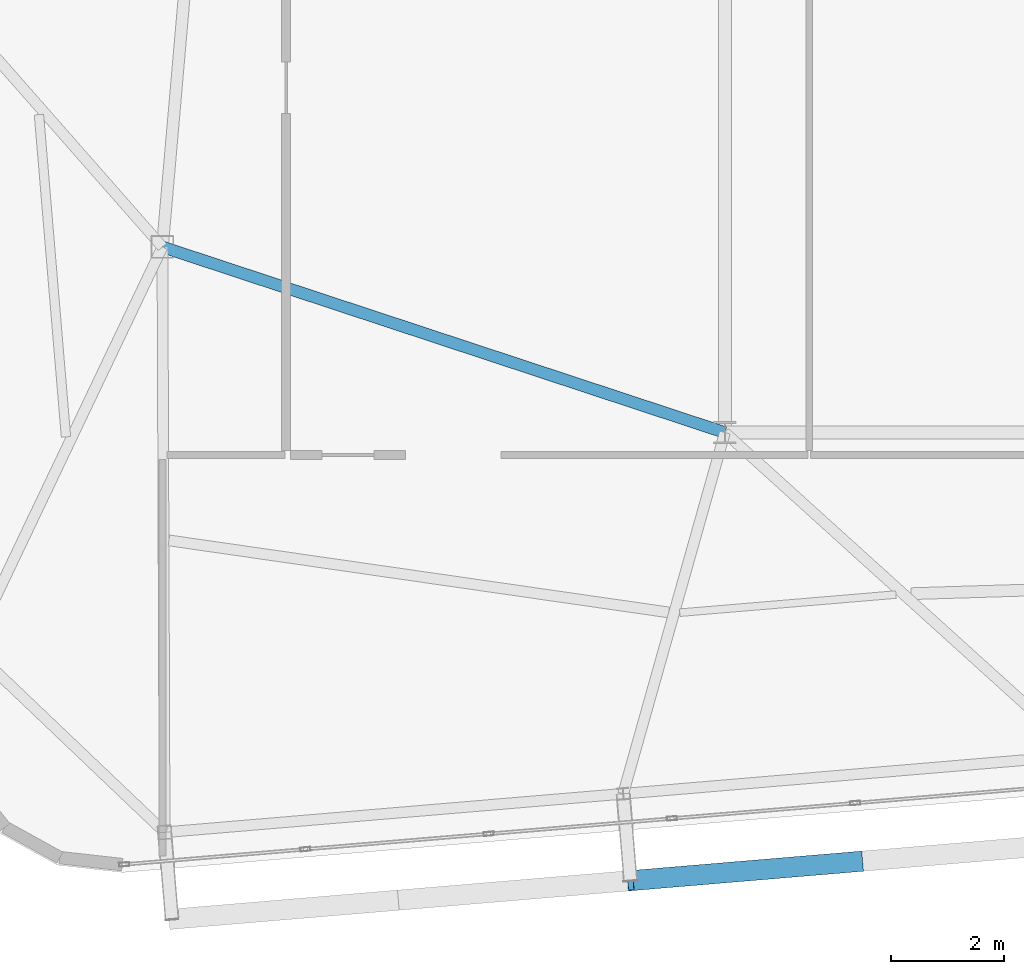
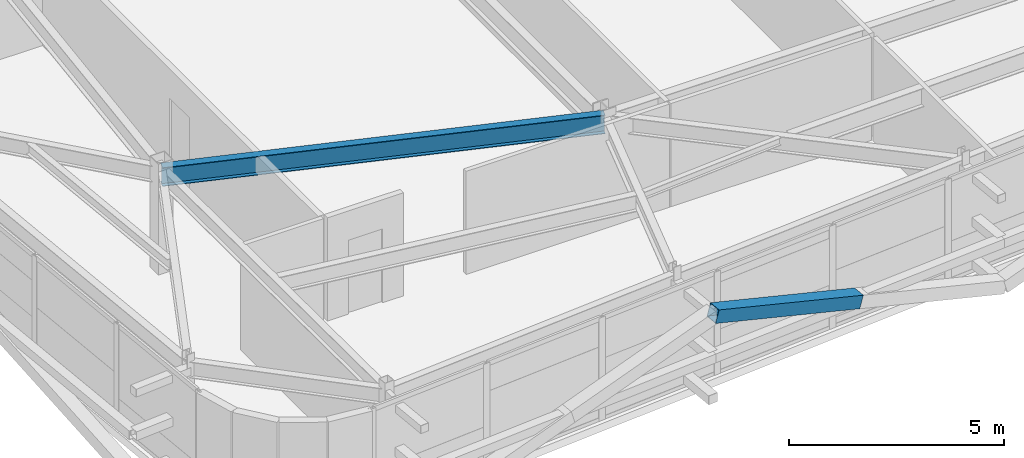
# One storey, part 10 of 46: 1 beam, 1 member.
"""IFC4 building model written with IfcOpenShell, lengths in metres."""

from ifc_helpers import new_model, si_unit, direction, frame, origin, origin_2d, place, context, subcontext, project, spatial, hollow_rectangle, i_section, extrude, source, transform, mapped, material, material_profile, profile_set, type_object, element, save


model = new_model("IFC4")

# Units and contexts
model_context = context("Model", 3, precision=1e-05, world=origin(), true_north=direction((0.0, 1.0)))
body_context = subcontext(model_context, "Body", "Model", "MODEL_VIEW")
ifc_project = project(units=[si_unit("LENGTHUNIT", "METRE"), si_unit("AREAUNIT", "SQUARE_METRE"), si_unit("VOLUMEUNIT", "CUBIC_METRE"), si_unit("PLANEANGLEUNIT", "RADIAN"), si_unit("MASSUNIT", "GRAM", prefix="KILO")], contexts=[model_context])

# Site, building, storey
site_placement = place(None, origin())
site = spatial("IfcSite", under=ifc_project, at=site_placement, CompositionType="ELEMENT")
building_placement = place(site_placement, origin())
building = spatial("IfcBuilding", under=site, at=building_placement, Name="Taldren Reach Tower", CompositionType="ELEMENT")
storey_placement = place(building_placement, frame((0.0, 0.0, 185.14990234375)))
storey = spatial("IfcBuildingStorey", under=building, at=storey_placement, Name="L56", CompositionType="ELEMENT", Elevation=185.14990234375)

# Beam
ifc_material_1 = material(Name="Steel Gr 350 (350PLUS)", Category="steel")
ifc_material_profile_1 = material_profile(ifc_material_1, i_section(OverallWidth=0.208984375, OverallDepth=0.532958984375, WebThickness=0.01025390625, FlangeThickness=0.015625, at=origin_2d()), Name="530UB92.4")
ifc_profile_set_1 = profile_set([ifc_material_profile_1], Name="Steel Gr 350 (350PLUS)")
beam_type = type_object("IfcBeamType", Name="BM-UB530A", PredefinedType="BEAM", material=ifc_profile_set_1)
shared_shape_1 = source(origin(), body_context, "Body", "SweptSolid", [
    extrude(i_section(OverallWidth=0.208984375, OverallDepth=0.532958984375, WebThickness=0.01025390625, FlangeThickness=0.015625, at=origin_2d()), origin(), (0.0, 0.0, 1.0), 10.530517578125),
])
beam_placement = place(storey_placement, frame((18.0, 12.5, 2.66357421875), z_axis=(0.949627269203, -0.313381635689, 0.0), x_axis=(0.313381635689, 0.949627269203, 0.0)))
element("IfcBeam", 1, at=beam_placement, inside=storey, type_object=beam_type, Name="Core-spine girder L56-SP10", PredefinedType="BEAM", context=body_context, shape_type="MappedRepresentation", body=[
    mapped(shared_shape_1, transform((0.0, 0.0, 0.0), scale=1.0)),
])

# Member
ifc_material_2 = material(Name="Steel Gr 450 (C450L0)", Category="steel")
ifc_material_profile_2 = material_profile(ifc_material_2, hollow_rectangle(XDim=0.360107421875, YDim=0.360107421875, WallThickness=0.0126953125, at=origin_2d()), Name="360x360x12.7SHS")
ifc_profile_set_2 = profile_set([ifc_material_profile_2], Name="Steel Gr 450 (C450L0)")
member_type = type_object("IfcMemberType", Name="MB-EXO356", PredefinedType="BRACE", material=ifc_profile_set_2)
shared_shape_2 = source(origin(), body_context, "Body", "SweptSolid", [
    extrude(hollow_rectangle(XDim=0.360107421875, YDim=0.360107421875, WallThickness=0.0126953125, at=origin_2d()), origin(), (0.0, 0.0, 1.0), 4.2666015625),
])
member_placement = place(storey_placement, frame((30.396240234375, 1.576171875, 1.43505859375), z_axis=(-0.955229159097, -0.080222312271, 0.284783486572), x_axis=(0.083687662192, -0.996492034688, 0.0)))
element("IfcMember", 2, at=member_placement, inside=storey, type_object=member_type, Name="Exoskeleton Diagrid Brace B4-S2 L56", PredefinedType="BRACE", context=body_context, shape_type="MappedRepresentation", body=[
    mapped(shared_shape_2, transform((0.0, 0.0, 0.0), scale=1.0)),
])

save(model, "model.ifc")
